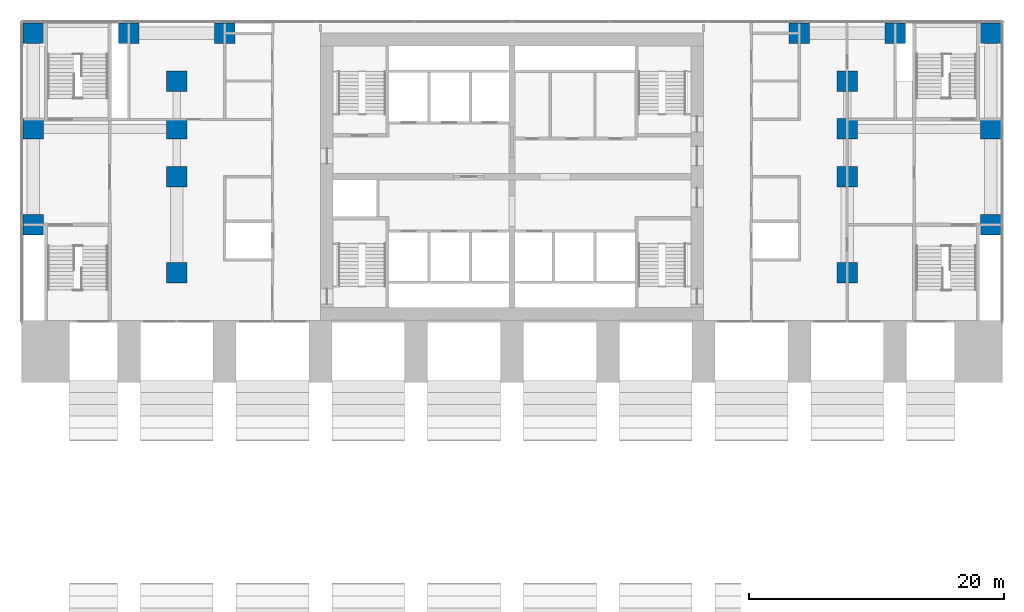
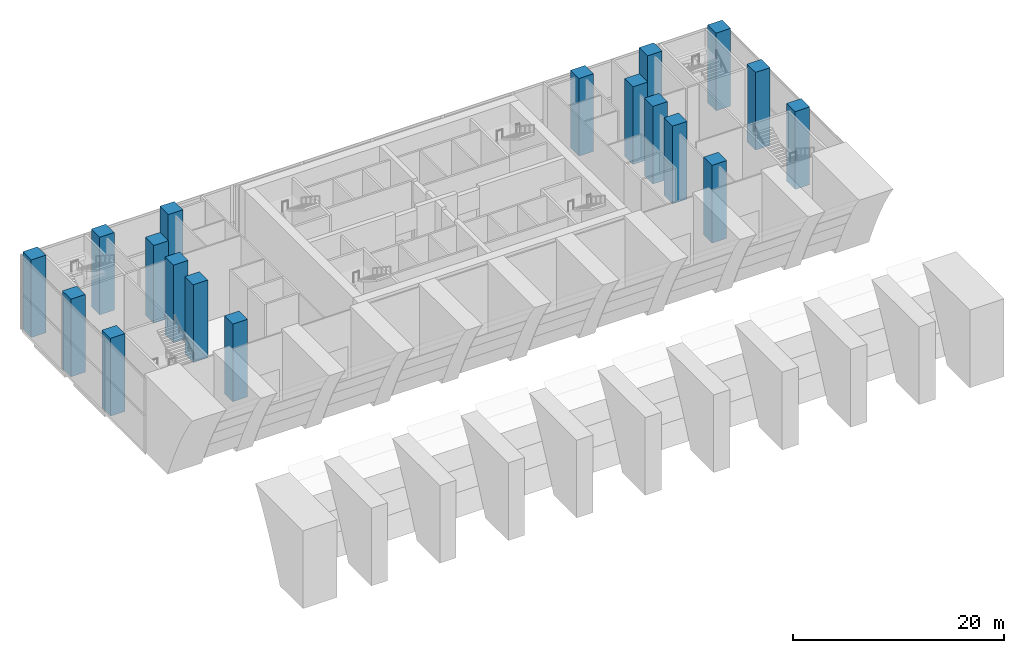
# One storey, part 1 of 14: 18 columns.
"""IFC4 building model written with IfcOpenShell, lengths in metres."""

from ifc_helpers import new_model, si_unit, direction, frame, origin, origin_2d, place, context, subcontext, project, spatial, rectangle, extrude, material, material_profile, profile_set, type_object, element, save


model = new_model("IFC4")

# Units and contexts
model_context = context("Model", 3, precision=1e-05, world=origin(), true_north=direction((0.0, 1.0)))
body_context = subcontext(model_context, "Body", "Model", "MODEL_VIEW")
ifc_project = project(units=[si_unit("LENGTHUNIT", "METRE"), si_unit("AREAUNIT", "SQUARE_METRE"), si_unit("VOLUMEUNIT", "CUBIC_METRE"), si_unit("PLANEANGLEUNIT", "RADIAN"), si_unit("MASSUNIT", "GRAM", prefix="KILO")], contexts=[model_context])

# Site, building, storey
site_placement = place(None, origin())
site = spatial("IfcSite", under=ifc_project, at=site_placement, CompositionType="ELEMENT")
building_placement = place(site_placement, origin())
building = spatial("IfcBuilding", under=site, at=building_placement, Name="Pilkhan Gate Tower", CompositionType="ELEMENT")
storey_placement = place(building_placement, frame((0.0, 0.0, 7.5)))
storey = spatial("IfcBuildingStorey", under=building, at=storey_placement, Name="L01", CompositionType="ELEMENT", Elevation=7.5)

# Columns
ifc_material = material(Name="Concrete C70/85", Category="concrete")
ifc_material_profile = material_profile(ifc_material, rectangle(XDim=1.60009765625, YDim=1.60009765625, at=origin_2d()), Name="RC 1600x1600")
ifc_profile_set = profile_set([ifc_material_profile], Name="Concrete C70/85")
column_type = type_object("IfcColumnType", Name="Column C160 RC 1600x1600 C70/85", PredefinedType="COLUMN", material=ifc_profile_set)
for number, where, z_axis, x_axis, name in (
    (1, (37.5, 78.75, 0.0), (0.0, 0.0, 1.0), (1.0, 0.0, 0.0), "Column 1/L L01"),
    (2, (37.5, 86.25, 0.0), (0.0, 0.0, 1.0), (1.0, 0.0, 0.0), "Column 1/N L01"),
    (3, (37.5, 93.75, 0.0), (0.0, 0.0, 1.0), (1.0, 0.0, 0.0), "Column 1/Q L01"),
    (4, (45.0, 93.75, 0.0), (0.0, 0.0, 1.0), (1.0, 0.0, 0.0), "Column 3/Q L01"),
    (5, (48.75, 75.0, 0.0), (0.0, 0.0, 1.0), (1.0, 0.0, 0.0), "Column 4/K L01"),
    (6, (48.75, 82.5, 0.0), (0.0, 0.0, 1.0), (1.0, 0.0, 0.0), "Column 4/M L01"),
    (7, (48.75, 86.25, 0.0), (0.0, 0.0, 1.0), (1.0, 0.0, 0.0), "Column 4/N L01"),
    (8, (48.75, 90.0, 0.0), (0.0, 0.0, 1.0), (1.0, 0.0, 0.0), "Column 4/P L01"),
    (9, (52.5, 93.75, 0.0), (0.0, 0.0, 1.0), (1.0, 0.0, 0.0), "Column 5/Q L01"),
    (10, (97.5, 93.75, 0.0), (0.0, 0.0, 1.0), (1.0, 0.0, 0.0), "Column 17/Q L01"),
    (11, (101.25, 75.0, 0.0), (0.0, 0.0, 1.0), (1.0, 0.0, 0.0), "Column 18/K L01"),
    (12, (101.25, 82.5, 0.0), (0.0, 0.0, 1.0), (1.0, 0.0, 0.0), "Column 18/M L01"),
    (13, (101.25, 86.25, 0.0), (0.0, 0.0, 1.0), (1.0, 0.0, 0.0), "Column 18/N L01"),
    (14, (101.25, 90.0, 0.0), (0.0, 0.0, 1.0), (1.0, 0.0, 0.0), "Column 18/P L01"),
    (15, (105.0, 93.75, 0.0), (0.0, 0.0, 1.0), (1.0, 0.0, 0.0), "Column 19/Q L01"),
    (16, (112.5, 78.75, 0.0), (0.0, 0.0, 1.0), (1.0, 0.0, 0.0), "Column 21/L L01"),
    (17, (112.5, 86.25, 0.0), (0.0, 0.0, 1.0), (1.0, 0.0, 0.0), "Column 21/N L01"),
    (18, (112.5, 93.75, 0.0), (0.0, 0.0, 1.0), (1.0, 0.0, 0.0), "Column 21/Q L01"),
):
    element("IfcColumn", number, at=place(storey_placement, frame(where, z_axis=z_axis, x_axis=x_axis)), inside=storey, type_object=column_type, Name=name, PredefinedType="COLUMN", context=body_context, shape_type="SweptSolid", body=[
        extrude(rectangle(XDim=1.60009765625, YDim=1.60009765625, at=origin_2d()), origin(), (0.0, 0.0, 1.0), 9.0),
    ])

save(model, "model.ifc")
